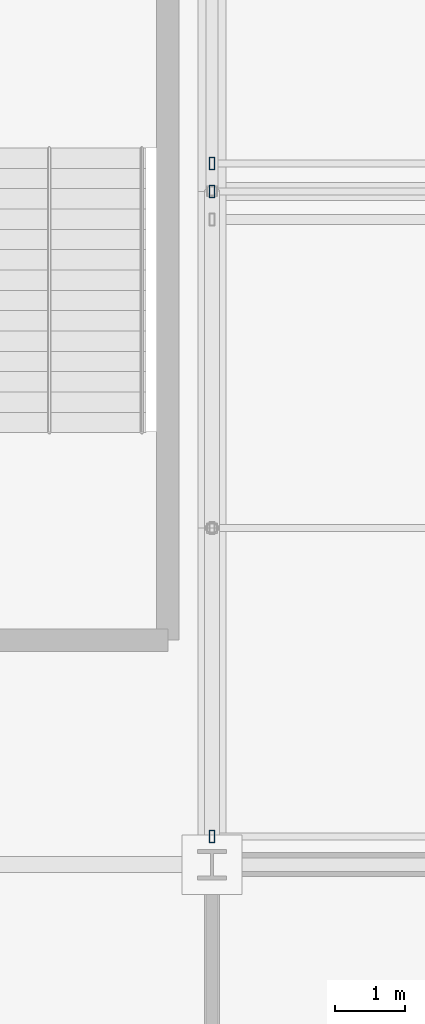
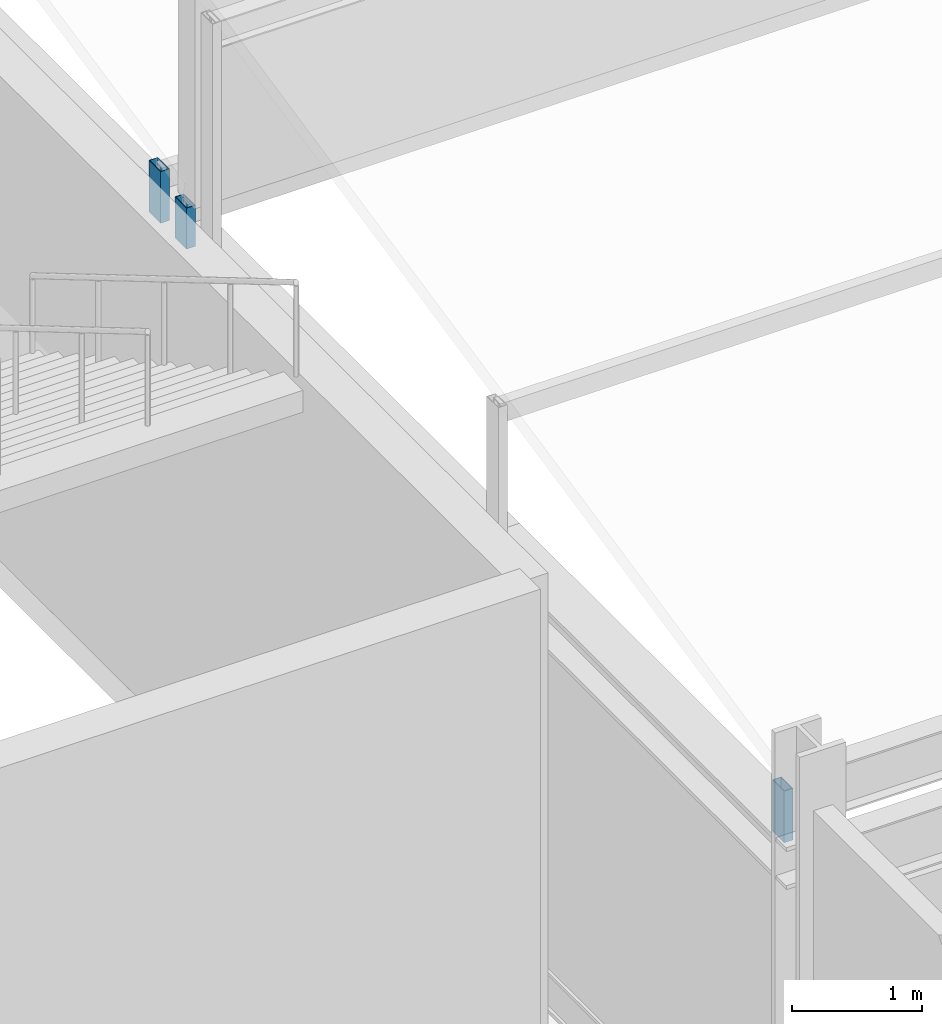
# One storey, part 76 of 136: 3 members.
"""IFC4 building model written with IfcOpenShell, lengths in metres."""

from ifc_helpers import new_model, si_unit, direction, frame, origin, origin_2d, place, context, subcontext, project, spatial, hollow_rectangle, extrude, material, material_profile, profile_set, type_object, element, save


model = new_model("IFC4")

# Units and contexts
model_context = context("Model", 3, precision=1e-05, world=origin(), true_north=direction((0.0, 1.0)))
body_context = subcontext(model_context, "Body", "Model", "MODEL_VIEW")
ifc_project = project(units=[si_unit("LENGTHUNIT", "METRE"), si_unit("AREAUNIT", "SQUARE_METRE"), si_unit("VOLUMEUNIT", "CUBIC_METRE"), si_unit("PLANEANGLEUNIT", "RADIAN"), si_unit("MASSUNIT", "GRAM", prefix="KILO")], contexts=[model_context])

# Site, building, storey
site_placement = place(None, origin())
site = spatial("IfcSite", under=ifc_project, at=site_placement, CompositionType="ELEMENT")
building_placement = place(site_placement, origin())
building = spatial("IfcBuilding", under=site, at=building_placement, Name="Kisiwana Market Hall", CompositionType="ELEMENT")
storey_placement = place(building_placement, frame((0.0, 0.0, 16.800048828125)))
storey = spatial("IfcBuildingStorey", under=building, at=storey_placement, Name="L03", CompositionType="ELEMENT", Elevation=16.800048828125)

# Members
ifc_material = material(Name="Steel S355", Category="steel")
ifc_material_profile = material_profile(ifc_material, hollow_rectangle(XDim=0.080078125, YDim=0.179931640625, WallThickness=0.00634765625, at=origin_2d()), Name="RHS 180x80x6.3")
ifc_profile_set = profile_set([ifc_material_profile], Name="Steel S355")
member_type = type_object("IfcMemberType", Name="MB-CAN-STRUT", PredefinedType="STRUT", material=ifc_profile_set)
member_1_placement = place(storey_placement, frame((45.0, 36.39990234375, 3.619873046875), z_axis=(0.0, 0.0, 1.0), x_axis=(1.0, 0.0, 0.0)))
element("IfcMember", 1, at=member_1_placement, inside=storey, type_object=member_type, Name="Sawtooth raker post 153 M-0224", PredefinedType="STRUT", context=body_context, shape_type="SweptSolid", body=[
    extrude(hollow_rectangle(XDim=0.080078125, YDim=0.179931640625, WallThickness=0.00634765625, at=origin_2d()), origin(), (0.0, 0.0, 1.0), 0.485107421875),
])
member_2_placement = place(storey_placement, frame((45.0, 45.60009765625, 3.619873046875), z_axis=(0.0, 0.0, 1.0), x_axis=(1.0, 0.0, 0.0)))
element("IfcMember", 2, at=member_2_placement, inside=storey, type_object=member_type, Name="Sawtooth raker post 155 M-0226", PredefinedType="STRUT", context=body_context, shape_type="SweptSolid", body=[
    extrude(hollow_rectangle(XDim=0.080078125, YDim=0.179931640625, WallThickness=0.00634765625, at=origin_2d()), origin(), (0.0, 0.0, 1.0), 0.385009765625),
])
member_3_placement = place(storey_placement, frame((45.0, 46.0, 3.619873046875), z_axis=(0.0, 0.0, 1.0), x_axis=(1.0, 0.0, 0.0)))
element("IfcMember", 3, at=member_3_placement, inside=storey, type_object=member_type, Name="Sawtooth raker post 198 M-0248", PredefinedType="STRUT", context=body_context, shape_type="SweptSolid", body=[
    extrude(hollow_rectangle(XDim=0.080078125, YDim=0.179931640625, WallThickness=0.00634765625, at=origin_2d()), origin(), (0.0, 0.0, 1.0), 0.485107421875),
])

save(model, "model.ifc")
